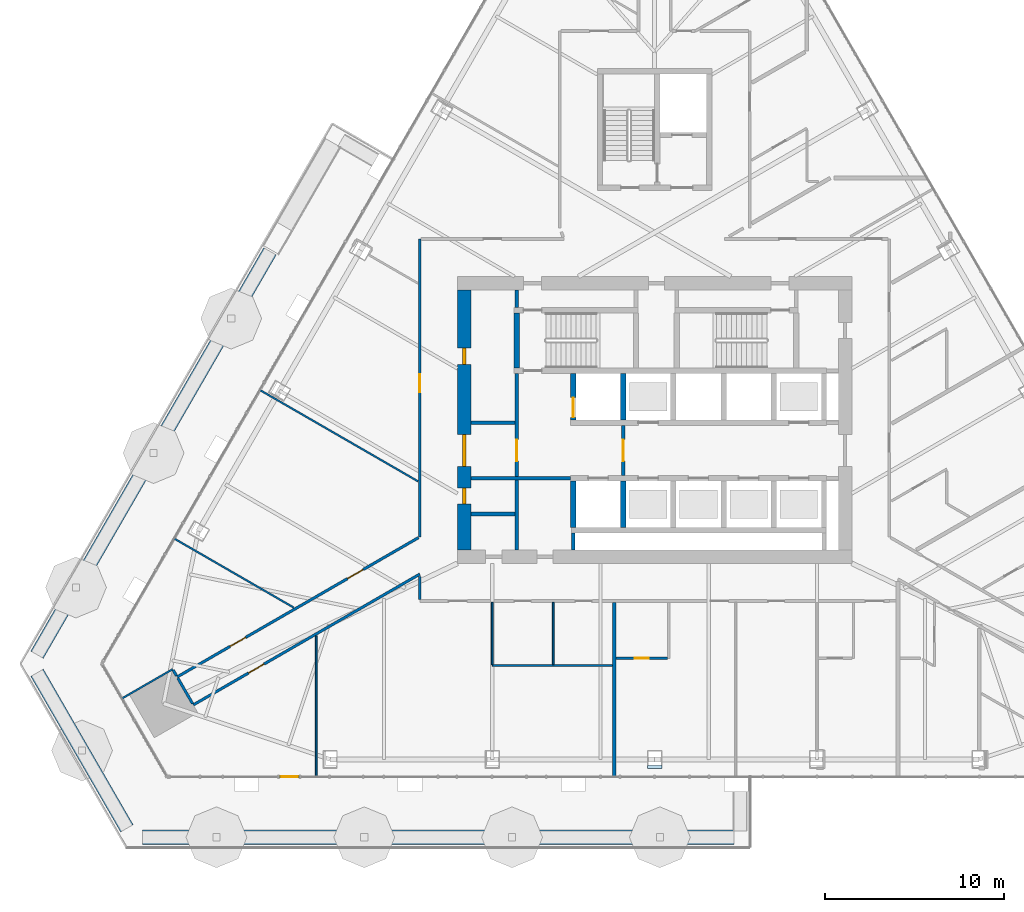
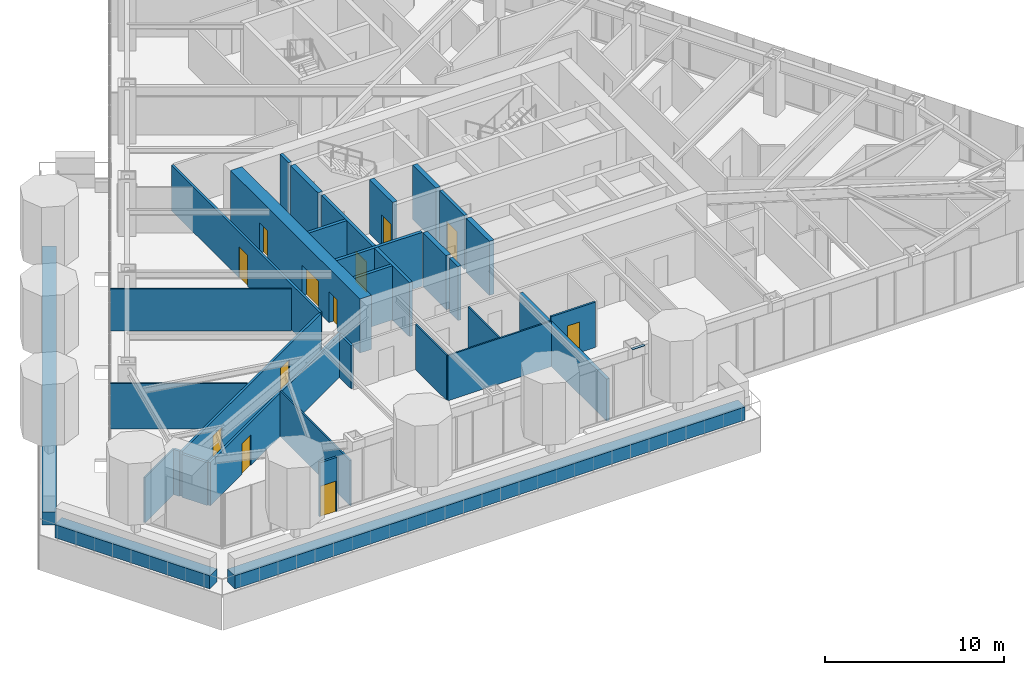
# One storey, part 25 of 32: 33 walls, 12 doors, 1 plate, 12 openings, 1 element without a shape of its own.
"""IFC4 building model written with IfcOpenShell, lengths in metres."""

from ifc_helpers import new_model, si_unit, direction, frame, frame_2d, origin, place, context, subcontext, project, spatial, polyline, rectangle, outline, extrude, material, layer, layer_set, type_object, element, fill, aggregate, save


model = new_model("IFC4")

# Units and contexts
model_context = context("Model", 3, precision=1e-05, world=origin(), true_north=direction((0.0, 1.0)))
body_context = subcontext(model_context, "Body", "Model", "MODEL_VIEW")
ifc_project = project(units=[si_unit("LENGTHUNIT", "METRE"), si_unit("AREAUNIT", "SQUARE_METRE"), si_unit("VOLUMEUNIT", "CUBIC_METRE"), si_unit("PLANEANGLEUNIT", "RADIAN"), si_unit("MASSUNIT", "GRAM", prefix="KILO")], contexts=[model_context])

# Site, building, storey
site_placement = place(None, origin())
site = spatial("IfcSite", under=ifc_project, at=site_placement, CompositionType="ELEMENT")
building_placement = place(site_placement, origin())
building = spatial("IfcBuilding", under=site, at=building_placement, Name="Firuza Gate Tower and Library", CompositionType="ELEMENT")
storey_placement = place(building_placement, frame((0.0, 0.0, 163.60009765625)))
storey = spatial("IfcBuildingStorey", under=building, at=storey_placement, Name="L37", CompositionType="ELEMENT", Elevation=163.60009765625)

# Plate
ifc_material_1 = material(Name="Steel S355", Category="steel")
ifc_layer_1 = layer(ifc_material_1, 0.030029296875)
ifc_layer_set_1 = layer_set([ifc_layer_1], Name="Column infill plate 30 Steel S355")
plate_type = type_object("IfcPlateType", Name="Column infill plate 30 Steel S355", PredefinedType="SHEET", material=ifc_layer_set_1)
plate_placement = place(storey_placement, frame((0.0, 0.0, 3.89990234375)))
element("IfcPlate", 1, at=plate_placement, inside=storey, type_object=plate_type, Name="Infill plate L37:S3", PredefinedType="SHEET", context=body_context, shape_type="SweptSolid", body=[
    extrude(outline(polyline([(75.39990234375, 55.56103515625), (75.39990234375, 55.720458984375), (74.60009765625, 55.720458984375), (74.60009765625, 55.56103515625), (75.39990234375, 55.56103515625)])), origin(), (0.0, 0.0, 1.0), 0.030029296875),
])

# Walls
ifc_material_2 = material(Name="Plasterboard on steel studs", Category="steel")
ifc_layer_2 = layer(ifc_material_2, 0.199951171875)
ifc_layer_set_2 = layer_set([ifc_layer_2], Name="Core partition 200 EI 120")
wall_type_1 = type_object("IfcWallType", Name="Core partition 200 EI 120", PredefinedType="PARTITIONING", material=ifc_layer_set_2)
wall_1_placement = place(storey_placement, frame((64.75, 71.75, 0.0), z_axis=(0.0, 0.0, 1.0), x_axis=(1.0, 0.0, 0.0)))
element("IfcWall", 2, at=wall_1_placement, inside=storey, type_object=wall_type_1, Name="Core partition L37 2", PredefinedType="PARTITIONING", context=body_context, shape_type="SweptSolid", body=[
    extrude(rectangle(XDim=5.550048828125, YDim=0.199951171875, at=frame_2d((2.77490234375, 0.0))), origin(), (0.0, 0.0, 1.0), 3.699951171875),
])
wall_2_placement = place(storey_placement, frame((64.75, 74.85009765625, 0.0), z_axis=(0.0, 0.0, 1.0), x_axis=(1.0, 0.0, 0.0)))
element("IfcWall", 3, at=wall_2_placement, inside=storey, type_object=wall_type_1, Name="Core partition L37 4", PredefinedType="PARTITIONING", context=body_context, shape_type="SweptSolid", body=[
    extrude(rectangle(XDim=2.449951171875, YDim=0.199951171875, at=frame_2d((1.22509765625, 0.0))), origin(), (0.0, 0.0, 1.0), 3.699951171875),
])
wall_3_placement = place(storey_placement, frame((67.300048828125, 67.75, 0.0), z_axis=(0.0, 0.0, 1.0), x_axis=(0.0, 1.0, 0.0)))
element("IfcWall", 4, at=wall_3_placement, inside=storey, type_object=wall_type_1, Name="Core partition L37 7", PredefinedType="PARTITIONING", context=body_context, shape_type="SweptSolid", body=[
    extrude(rectangle(XDim=3.89990234375, YDim=0.199951171875, at=frame_2d((1.949951171875, 0.0))), origin(), (0.0, 0.0, 1.0), 3.699951171875),
])

# Wall, opening, door
wall_4_placement = place(storey_placement, frame((67.300048828125, 71.85009765625, 0.0), z_axis=(0.0, 0.0, 1.0), x_axis=(0.0, 1.0, 0.0)))
wall_4 = element("IfcWall", 5, at=wall_4_placement, inside=storey, type_object=wall_type_1, Name="Core partition L37 8", PredefinedType="PARTITIONING", context=body_context, shape_type="SweptSolid", body=[
    extrude(rectangle(XDim=5.75, YDim=0.199951171875, at=frame_2d((2.875, 0.0))), origin(), (0.0, 0.0, 1.0), 3.699951171875),
])
opening_1_placement = place(wall_4_placement, frame((0.85009765625, 0.0, 0.0)))
opening_1 = element("IfcOpeningElement", 6, at=opening_1_placement, cuts=wall_4, Name="Opening L37-K19", PredefinedType="OPENING", context=body_context, shape_type="SweptSolid", body=[
    extrude(rectangle(XDim=1.199951171875, YDim=2.10009765625, at=frame_2d((0.60009765625, 1.050048828125))), frame((0.0, 0.10986328125, 0.0), z_axis=(0.0, -1.0, 0.0), x_axis=(1.0, 0.0, 0.0)), (0.0, 0.0, 1.0), 0.219970703125),
])
ifc_material_3 = material(Name="Steel", Category="steel")
door_type_1 = type_object("IfcDoorType", Name="Fire door 1200x2100 FD90S", OperationType="NOTDEFINED", PredefinedType="DOOR", material=ifc_material_3)
door_1_placement = place(opening_1_placement, origin())
door_1 = element("IfcDoor", 7, at=door_1_placement, inside=storey, type_object=door_type_1, Name="Door L37-K19", OperationType="SINGLE_SWING_RIGHT", OverallHeight=2.10009765625, OverallWidth=1.199951171875, PredefinedType="DOOR", context=body_context, shape_type="SweptSolid", body=[
    extrude(rectangle(XDim=1.199951171875, YDim=2.10009765625, at=frame_2d((0.60009765625, 1.050048828125))), frame((0.0, 0.02490234375, 0.0), z_axis=(0.0, -1.0, 0.0), x_axis=(1.0, 0.0, 0.0)), (0.0, 0.0, 1.0), 0.050048828125),
])
fill(opening_1, door_1)

# Walls
wall_5_placement = place(storey_placement, frame((67.300048828125, 81.280029296875, 0.0), z_axis=(0.0, 0.0, 1.0), x_axis=(0.0, 1.0, 0.0)))
element("IfcWall", 8, at=wall_5_placement, inside=storey, type_object=wall_type_1, Name="Core partition L37 9", PredefinedType="PARTITIONING", context=body_context, shape_type="SweptSolid", body=[
    extrude(rectangle(XDim=0.969970703125, YDim=0.199951171875, at=frame_2d((0.48486328125, 0.0))), origin(), (0.0, 0.0, 1.0), 3.699951171875),
])
wall_6_placement = place(storey_placement, frame((70.449951171875, 67.75, 0.0), z_axis=(0.0, 0.0, 1.0), x_axis=(0.0, 1.0, 0.0)))
element("IfcWall", 9, at=wall_6_placement, inside=storey, type_object=wall_type_1, Name="Core partition L37 10", PredefinedType="PARTITIONING", context=body_context, shape_type="SweptSolid", body=[
    extrude(rectangle(XDim=0.949951171875, YDim=0.199951171875, at=frame_2d((0.47509765625, 0.0))), origin(), (0.0, 0.0, 1.0), 3.699951171875),
])
ifc_material_4 = material(Name="Plasterboard on steel studs", Category="steel")
ifc_layer_3 = layer(ifc_material_4, 0.199951171875)
ifc_layer_set_3 = layer_set([ifc_layer_3], Name="Core partition 200 EI 60")
wall_type_2 = type_object("IfcWallType", Name="Core partition 200 EI 60", PredefinedType="PARTITIONING", material=ifc_layer_set_3)
wall_7_placement = place(storey_placement, frame((64.75, 69.75, 0.0), z_axis=(0.0, 0.0, 1.0), x_axis=(1.0, 0.0, 0.0)))
element("IfcWall", 10, at=wall_7_placement, inside=storey, type_object=wall_type_2, Name="Core partition L37 1", PredefinedType="PARTITIONING", context=body_context, shape_type="SweptSolid", body=[
    extrude(rectangle(XDim=2.449951171875, YDim=0.199951171875, at=frame_2d((1.22509765625, 0.0))), origin(), (0.0, 0.0, 1.0), 3.699951171875),
])

# Wall, opening, door
wall_8_placement = place(storey_placement, frame((73.25, 71.89990234375, 0.0), z_axis=(0.0, 0.0, 1.0), x_axis=(0.0, 1.0, 0.0)))
wall_8 = element("IfcWall", 11, at=wall_8_placement, inside=storey, type_object=wall_type_2, Name="Core partition L37 11", PredefinedType="PARTITIONING", context=body_context, shape_type="SweptSolid", body=[
    extrude(rectangle(XDim=2.800048828125, YDim=0.199951171875, at=frame_2d((1.39990234375, 0.0))), origin(), (0.0, 0.0, 1.0), 3.699951171875),
])
opening_2_placement = place(wall_8_placement, frame((0.800048828125, 0.0, 0.0)))
opening_2 = element("IfcOpeningElement", 12, at=opening_2_placement, cuts=wall_8, Name="Opening L37-K18", PredefinedType="OPENING", context=body_context, shape_type="SweptSolid", body=[
    extrude(rectangle(XDim=1.199951171875, YDim=2.10009765625, at=frame_2d((0.60009765625, 1.050048828125))), frame((0.0, 0.10986328125, 0.0), z_axis=(0.0, -1.0, 0.0), x_axis=(1.0, 0.0, 0.0)), (0.0, 0.0, 1.0), 0.219970703125),
])
door_2_placement = place(opening_2_placement, origin())
door_2 = element("IfcDoor", 13, at=door_2_placement, inside=storey, type_object=door_type_1, Name="Door L37-K18", OperationType="SINGLE_SWING_LEFT", OverallHeight=2.10009765625, OverallWidth=1.199951171875, PredefinedType="DOOR", context=body_context, shape_type="SweptSolid", body=[
    extrude(rectangle(XDim=1.199951171875, YDim=2.10009765625, at=frame_2d((0.60009765625, 1.050048828125))), frame((0.0, 0.02490234375, 0.0), z_axis=(0.0, -1.0, 0.0), x_axis=(1.0, 0.0, 0.0)), (0.0, 0.0, 1.0), 0.050048828125),
])
fill(opening_2, door_2)

# Wall
ifc_material_5 = material(Name="Concrete C80/95", Category="concrete")
ifc_layer_4 = layer(ifc_material_5, 0.300048828125)
ifc_layer_set_4 = layer_set([ifc_layer_4], Name="Core wall 300 C80/95")
wall_type_3 = type_object("IfcWallType", Name="Core wall 300 C80/95", PredefinedType="SHEAR", material=ifc_layer_set_4)
wall_9_placement = place(storey_placement, frame((70.449951171875, 69.0, 0.0), z_axis=(0.0, 0.0, 1.0), x_axis=(0.0, 1.0, 0.0)))
element("IfcWall", 14, at=wall_9_placement, inside=storey, type_object=wall_type_3, Name="Core wall L37 8", PredefinedType="SHEAR", context=body_context, shape_type="SweptSolid", body=[
    extrude(rectangle(XDim=2.60009765625, YDim=0.300048828125, at=frame_2d((1.300048828125, 0.0))), origin(), (0.0, 0.0, 1.0), 3.699951171875),
])

# Wall, opening, door
wall_10_placement = place(storey_placement, frame((70.449951171875, 75.0, 0.0), z_axis=(0.0, 0.0, 1.0), x_axis=(0.0, 1.0, 0.0)))
wall_10 = element("IfcWall", 15, at=wall_10_placement, inside=storey, type_object=wall_type_3, Name="Core wall L37 9", PredefinedType="SHEAR", context=body_context, shape_type="SweptSolid", body=[
    extrude(rectangle(XDim=2.60009765625, YDim=0.300048828125, at=frame_2d((1.300048828125, 0.0))), origin(), (0.0, 0.0, 1.0), 3.699951171875),
])
opening_3_placement = place(wall_10_placement, frame((0.14990234375, 0.0, 0.0)))
opening_3 = element("IfcOpeningElement", 16, at=opening_3_placement, cuts=wall_10, Name="Opening LD-FF2-L37", PredefinedType="OPENING", context=body_context, shape_type="SweptSolid", body=[
    extrude(rectangle(XDim=1.10009765625, YDim=2.10009765625, at=frame_2d((0.550048828125, 1.050048828125))), frame((0.0, 0.16015625, 0.0), z_axis=(0.0, -1.0, 0.0), x_axis=(1.0, 0.0, 0.0)), (0.0, 0.0, 1.0), 0.320068359375),
])
ifc_material_6 = material(Name="Stainless steel", Category="steel")
door_type_2 = type_object("IfcDoorType", Name="Lift landing door 1100x2100", OperationType="DOUBLE_DOOR_SLIDING", PredefinedType="DOOR", material=ifc_material_6)
door_3_placement = place(opening_3_placement, origin())
door_3 = element("IfcDoor", 17, at=door_3_placement, inside=storey, type_object=door_type_2, Name="Landing door FF2 L37", OperationType="DOUBLE_DOOR_SLIDING", OverallHeight=2.10009765625, OverallWidth=1.10009765625, PredefinedType="DOOR", context=body_context, shape_type="SweptSolid", body=[
    extrude(rectangle(XDim=1.10009765625, YDim=2.10009765625, at=frame_2d((0.550048828125, 1.050048828125))), frame((0.0, 0.02490234375, 0.0), z_axis=(0.0, -1.0, 0.0), x_axis=(1.0, 0.0, 0.0)), (0.0, 0.0, 1.0), 0.050048828125),
])
fill(opening_3, door_3)

# Walls
for number, where, z_axis, x_axis, name in (
    (18, (73.25, 69.0, 0.0), (0.0, 0.0, 1.0), (0.0, 1.0, 0.0), "Core wall L37 10"),
    (19, (73.25, 75.0, 0.0), (0.0, 0.0, 1.0), (0.0, 1.0, 0.0), "Core wall L37 11"),
):
    element("IfcWall", number, at=place(storey_placement, frame(where, z_axis=z_axis, x_axis=x_axis)), inside=storey, type_object=wall_type_3, Name=name, PredefinedType="SHEAR", context=body_context, shape_type="SweptSolid", body=[
        extrude(rectangle(XDim=2.60009765625, YDim=0.300048828125, at=frame_2d((1.300048828125, 0.0))), origin(), (0.0, 0.0, 1.0), 3.699951171875),
    ])
wall_11_placement = place(storey_placement, frame((67.300048828125, 77.89990234375, 0.0), z_axis=(0.0, 0.0, 1.0), x_axis=(0.0, 1.0, 0.0)))
element("IfcWall", 20, at=wall_11_placement, inside=storey, type_object=wall_type_3, Name="Core wall L37 23", PredefinedType="SHEAR", context=body_context, shape_type="SweptSolid", body=[
    extrude(rectangle(XDim=3.080078125, YDim=0.300048828125, at=frame_2d((1.5400390625, 0.0))), origin(), (0.0, 0.0, 1.0), 3.699951171875),
])

# Wall, openings, doors
ifc_material_7 = material(Name="Concrete C80/95", Category="concrete")
ifc_layer_5 = layer(ifc_material_7, 0.75)
ifc_layer_set_5 = layer_set([ifc_layer_5], Name="Core wall 750 C80/95")
wall_type_4 = type_object("IfcWallType", Name="Core wall 750 C80/95", PredefinedType="SHEAR", material=ifc_layer_set_5)
wall_12_placement = place(storey_placement, frame((64.375, 67.75, 0.0), z_axis=(0.0, 0.0, 1.0), x_axis=(0.0, 1.0, 0.0)))
wall_12 = element("IfcWall", 21, at=wall_12_placement, inside=storey, type_object=wall_type_4, Name="Core wall L37 3", PredefinedType="SHEAR", context=body_context, shape_type="SweptSolid", body=[
    extrude(rectangle(XDim=14.5, YDim=0.75, at=frame_2d((7.25, 0.0))), origin(), (0.0, 0.0, 1.0), 3.699951171875),
])
opening_4_placement = place(wall_12_placement, frame((4.64990234375, 0.0, 0.0)))
opening_4 = element("IfcOpeningElement", 22, at=opening_4_placement, cuts=wall_12, Name="Opening L37-K20", PredefinedType="OPENING", context=body_context, shape_type="SweptSolid", body=[
    extrude(rectangle(XDim=1.800048828125, YDim=2.10009765625, at=frame_2d((0.89990234375, 1.050048828125))), frame((0.0, 0.385009765625, 0.0), z_axis=(0.0, -1.0, 0.0), x_axis=(1.0, 0.0, 0.0)), (0.0, 0.0, 1.0), 0.77001953125),
])
opening_5_placement = place(wall_12_placement, frame((2.550048828125, 0.0, 0.0)))
opening_5 = element("IfcOpeningElement", 23, at=opening_5_placement, cuts=wall_12, Name="Opening L37-K23", PredefinedType="OPENING", context=body_context, shape_type="SweptSolid", body=[
    extrude(rectangle(XDim=0.89990234375, YDim=2.10009765625, at=frame_2d((0.449951171875, 1.050048828125))), frame((0.0, 0.385009765625, 0.0), z_axis=(0.0, -1.0, 0.0), x_axis=(1.0, 0.0, 0.0)), (0.0, 0.0, 1.0), 0.77001953125),
])
opening_6_placement = place(wall_12_placement, frame((10.35009765625, 0.0, 0.0)))
opening_6 = element("IfcOpeningElement", 24, at=opening_6_placement, cuts=wall_12, Name="Opening L37-K25", PredefinedType="OPENING", context=body_context, shape_type="SweptSolid", body=[
    extrude(rectangle(XDim=0.89990234375, YDim=2.10009765625, at=frame_2d((0.449951171875, 1.050048828125))), frame((0.0, 0.385009765625, 0.0), z_axis=(0.0, -1.0, 0.0), x_axis=(1.0, 0.0, 0.0)), (0.0, 0.0, 1.0), 0.77001953125),
])
ifc_material_8 = material(Name="Steel", Category="steel")
door_type_3 = type_object("IfcDoorType", Name="Fire door 1800x2100 FD30S", OperationType="NOTDEFINED", PredefinedType="DOOR", material=ifc_material_8)
door_4_placement = place(opening_4_placement, origin())
door_4 = element("IfcDoor", 25, at=door_4_placement, inside=storey, type_object=door_type_3, Name="Door L37-K20", OperationType="SINGLE_SWING_LEFT", OverallHeight=2.10009765625, OverallWidth=1.800048828125, PredefinedType="DOOR", context=body_context, shape_type="SweptSolid", body=[
    extrude(rectangle(XDim=1.800048828125, YDim=2.10009765625, at=frame_2d((0.89990234375, 1.050048828125))), frame((0.0, 0.094970703125, 0.0), z_axis=(0.0, -1.0, 0.0), x_axis=(1.0, 0.0, 0.0)), (0.0, 0.0, 1.0), 0.18994140625),
])
fill(opening_4, door_4)
ifc_material_9 = material(Name="Steel", Category="steel")
door_type_4 = type_object("IfcDoorType", Name="Fire door 900x2100 FD30S", OperationType="NOTDEFINED", PredefinedType="DOOR", material=ifc_material_9)
door_5_placement = place(opening_5_placement, origin())
door_5 = element("IfcDoor", 26, at=door_5_placement, inside=storey, type_object=door_type_4, Name="Door L37-K23", OperationType="SINGLE_SWING_RIGHT", OverallHeight=2.10009765625, OverallWidth=0.89990234375, PredefinedType="DOOR", context=body_context, shape_type="SweptSolid", body=[
    extrude(rectangle(XDim=0.89990234375, YDim=2.10009765625, at=frame_2d((0.449951171875, 1.050048828125))), frame((0.0, 0.094970703125, 0.0), z_axis=(0.0, -1.0, 0.0), x_axis=(1.0, 0.0, 0.0)), (0.0, 0.0, 1.0), 0.18994140625),
])
fill(opening_5, door_5)
door_6_placement = place(opening_6_placement, origin())
door_6 = element("IfcDoor", 27, at=door_6_placement, inside=storey, type_object=door_type_4, Name="Door L37-K25", OperationType="SINGLE_SWING_RIGHT", OverallHeight=2.10009765625, OverallWidth=0.89990234375, PredefinedType="DOOR", context=body_context, shape_type="SweptSolid", body=[
    extrude(rectangle(XDim=0.89990234375, YDim=2.10009765625, at=frame_2d((0.449951171875, 1.050048828125))), frame((0.0, 0.094970703125, 0.0), z_axis=(0.0, -1.0, 0.0), x_axis=(1.0, 0.0, 0.0)), (0.0, 0.0, 1.0), 0.18994140625),
])
fill(opening_6, door_6)

# Wall, opening, door
ifc_material_10 = material(Name="Gypsum board partition")
ifc_layer_6 = layer(ifc_material_10, 0.14990234375)
ifc_layer_set_6 = layer_set([ifc_layer_6], Name="Corridor wall 150 double board on steel studs")
wall_type_5 = type_object("IfcWallType", Name="Corridor wall 150 double board on steel studs", PredefinedType="PARTITIONING", material=ifc_layer_set_6)
wall_13_placement = place(storey_placement, frame((61.89990234375, 66.3974609375, 0.0), z_axis=(0.0, 0.0, 1.0), x_axis=(-0.86603071172, -0.499990806274, 0.0)))
wall_13 = element("IfcWall", 28, at=wall_13_placement, inside=storey, type_object=wall_type_5, Name="f:L37:w024", PredefinedType="PARTITIONING", context=body_context, shape_type="SweptSolid", body=[
    extrude(rectangle(XDim=14.595458984375, YDim=0.14990234375, at=frame_2d((7.2978515625, 0.0))), origin(), (0.0, 0.0, 1.0), 2.947021484375),
])
opening_7_placement = place(wall_13_placement, frame((10.0322265625, 0.0, 0.0)))
opening_7 = element("IfcOpeningElement", 29, at=opening_7_placement, cuts=wall_13, Name="Opening L37-18", PredefinedType="OPENING", context=body_context, shape_type="SweptSolid", body=[
    extrude(rectangle(XDim=1.0, YDim=2.10009765625, at=frame_2d((0.5, 1.050048828125))), frame((0.0, 0.0849609375, 0.0), z_axis=(0.0, -1.0, 0.0), x_axis=(1.0, 0.0, 0.0)), (0.0, 0.0, 1.0), 0.169921875),
])
ifc_material_11 = material(Name="Steel door and timber leaf", Category="steel")
door_type_5 = type_object("IfcDoorType", Name="Fire door 1000 x 2100 steel frame, timber leaf", OperationType="NOTDEFINED", PredefinedType="DOOR", material=ifc_material_11)
door_7_placement = place(opening_7_placement, origin())
door_7 = element("IfcDoor", 30, at=door_7_placement, inside=storey, type_object=door_type_5, Name="f:L37:d018", OperationType="SINGLE_SWING_RIGHT", OverallHeight=2.10009765625, OverallWidth=1.0, PredefinedType="DOOR", context=body_context, shape_type="SweptSolid", body=[
    extrude(rectangle(XDim=1.0, YDim=2.10009765625, at=frame_2d((0.5, 1.050048828125))), frame((0.0, 0.02490234375, 0.0), z_axis=(0.0, -1.0, 0.0), x_axis=(1.0, 0.0, 0.0)), (0.0, 0.0, 1.0), 0.050048828125),
])
fill(opening_7, door_7)

# Wall, openings, doors
wall_14_placement = place(storey_placement, frame((48.359619140625, 60.65869140625, 0.0), z_axis=(0.0, 0.0, 1.0), x_axis=(0.866033404619, 0.499986141892, 0.0)))
wall_14 = element("IfcWall", 31, at=wall_14_placement, inside=storey, type_object=wall_type_5, Name="f:L37:w027", PredefinedType="PARTITIONING", context=body_context, shape_type="SweptSolid", body=[
    extrude(rectangle(XDim=15.54833984375, YDim=0.14990234375, at=frame_2d((7.774169921875, 0.0))), origin(), (0.0, 0.0, 1.0), 3.099853515625),
])
opening_8_placement = place(wall_14_placement, frame((3.415283203125, 0.0, 0.0)))
opening_8 = element("IfcOpeningElement", 32, at=opening_8_placement, cuts=wall_14, Name="Opening L37-19", PredefinedType="OPENING", context=body_context, shape_type="SweptSolid", body=[
    extrude(rectangle(XDim=1.0, YDim=2.10009765625, at=frame_2d((0.5, 1.050048828125))), frame((0.0, 0.0849609375, 0.0), z_axis=(0.0, -1.0, 0.0), x_axis=(1.0, 0.0, 0.0)), (0.0, 0.0, 1.0), 0.169921875),
])
opening_9_placement = place(wall_14_placement, frame((10.986083984375, 0.0, 0.0)))
opening_9 = element("IfcOpeningElement", 33, at=opening_9_placement, cuts=wall_14, Name="Opening L37-20", PredefinedType="OPENING", context=body_context, shape_type="SweptSolid", body=[
    extrude(rectangle(XDim=1.0, YDim=2.10009765625, at=frame_2d((0.5, 1.050048828125))), frame((0.0, 0.0849609375, 0.0), z_axis=(0.0, -1.0, 0.0), x_axis=(1.0, 0.0, 0.0)), (0.0, 0.0, 1.0), 0.169921875),
])
door_8_placement = place(opening_8_placement, origin())
door_8 = element("IfcDoor", 34, at=door_8_placement, inside=storey, type_object=door_type_5, Name="f:L37:d019", OperationType="SINGLE_SWING_RIGHT", OverallHeight=2.10009765625, OverallWidth=1.0, PredefinedType="DOOR", context=body_context, shape_type="SweptSolid", body=[
    extrude(rectangle(XDim=1.0, YDim=2.10009765625, at=frame_2d((0.5, 1.050048828125))), frame((0.0, 0.02490234375, 0.0), z_axis=(0.0, -1.0, 0.0), x_axis=(1.0, 0.0, 0.0)), (0.0, 0.0, 1.0), 0.050048828125),
])
fill(opening_8, door_8)
door_9_placement = place(opening_9_placement, origin())
door_9 = element("IfcDoor", 35, at=door_9_placement, inside=storey, type_object=door_type_5, Name="f:L37:d020", OperationType="SINGLE_SWING_LEFT", OverallHeight=2.10009765625, OverallWidth=1.0, PredefinedType="DOOR", context=body_context, shape_type="SweptSolid", body=[
    extrude(rectangle(XDim=1.0, YDim=2.10009765625, at=frame_2d((0.5, 1.050048828125))), frame((0.0, 0.02490234375, 0.0), z_axis=(0.0, -1.0, 0.0), x_axis=(1.0, 0.0, 0.0)), (0.0, 0.0, 1.0), 0.050048828125),
])
fill(opening_9, door_9)

# Wall
wall_15_placement = place(storey_placement, frame((61.89990234375, 64.9755859375, 0.0), z_axis=(0.0, 0.0, 1.0), x_axis=(0.0, 1.0, 0.0)))
element("IfcWall", 36, at=wall_15_placement, inside=storey, type_object=wall_type_5, Name="f:L37:w063", PredefinedType="PARTITIONING", context=body_context, shape_type="SweptSolid", body=[
    extrude(rectangle(XDim=1.28515625, YDim=0.14990234375, at=frame_2d((0.642578125, 0.0))), origin(), (0.0, 0.0, 1.0), 2.947021484375),
])

# Wall, opening, door
wall_16_placement = place(storey_placement, frame((61.89990234375, 68.47607421875, 0.0), z_axis=(0.0, 0.0, 1.0), x_axis=(0.0, 1.0, 0.0)))
wall_16 = element("IfcWall", 37, at=wall_16_placement, inside=storey, type_object=wall_type_5, Name="f:L37:w064", PredefinedType="PARTITIONING", context=body_context, shape_type="SweptSolid", body=[
    extrude(rectangle(XDim=16.62353515625, YDim=0.14990234375, at=frame_2d((8.311767578125, 0.0))), origin(), (0.0, 0.0, 1.0), 3.099853515625),
])
opening_10_placement = place(wall_16_placement, frame((8.06396484375, 0.0, 0.0)))
opening_10 = element("IfcOpeningElement", 38, at=opening_10_placement, cuts=wall_16, Name="Opening L37-30", PredefinedType="OPENING", context=body_context, shape_type="SweptSolid", body=[
    extrude(rectangle(XDim=1.0, YDim=2.10009765625, at=frame_2d((0.5, 1.050048828125))), frame((0.0, 0.0849609375, 0.0), z_axis=(0.0, -1.0, 0.0), x_axis=(1.0, 0.0, 0.0)), (0.0, 0.0, 1.0), 0.169921875),
])
door_10_placement = place(opening_10_placement, origin())
door_10 = element("IfcDoor", 39, at=door_10_placement, inside=storey, type_object=door_type_5, Name="f:L37:d030", OperationType="SINGLE_SWING_RIGHT", OverallHeight=2.10009765625, OverallWidth=1.0, PredefinedType="DOOR", context=body_context, shape_type="SweptSolid", body=[
    extrude(rectangle(XDim=1.0, YDim=2.10009765625, at=frame_2d((0.5, 1.050048828125))), frame((0.0, 0.02490234375, 0.0), z_axis=(0.0, -1.0, 0.0), x_axis=(1.0, 0.0, 0.0)), (0.0, 0.0, 1.0), 0.050048828125),
])
fill(opening_10, door_10)

# Walls
wall_17_placement = place(storey_placement, frame((49.221923828125, 59.1650390625, 0.0), z_axis=(0.0, 0.0, 1.0), x_axis=(-0.499991515992, 0.866030301974, 0.0)))
element("IfcWall", 40, at=wall_17_placement, inside=storey, type_object=wall_type_5, Name="f:L37:w067", PredefinedType="PARTITIONING", context=body_context, shape_type="SweptSolid", body=[
    extrude(rectangle(XDim=1.6494140625, YDim=0.14990234375, at=frame_2d((0.82470703125, 0.0))), origin(), (0.0, 0.0, 1.0), 2.947021484375),
])
wall_18_placement = place(storey_placement, frame((48.322265625, 60.723388671875, 0.0), z_axis=(0.0, 0.0, 1.0), x_axis=(-0.499854089722, 0.866109628736, 0.0)))
element("IfcWall", 41, at=wall_18_placement, inside=storey, type_object=wall_type_5, Name="f:L37:w084", PredefinedType="PARTITIONING", context=body_context, shape_type="SweptSolid", body=[
    extrude(rectangle(XDim=0.37451171875, YDim=0.14990234375, at=frame_2d((0.187255859375, 0.0))), origin(), (0.0, 0.0, 1.0), 3.099853515625),
])
ifc_material_12 = material(Name="Gypsum board partition")
ifc_layer_7 = layer(ifc_material_12, 0.199951171875)
ifc_layer_set_7 = layer_set([ifc_layer_7], Name="Demising wall 200 acoustic double stud")
wall_type_6 = type_object("IfcWallType", Name="Demising wall 200 acoustic double stud", PredefinedType="PARTITIONING", material=ifc_layer_set_7)
wall_19_placement = place(storey_placement, frame((72.737060546875, 55.10107421875, 0.0), z_axis=(0.0, 0.0, 1.0), x_axis=(0.0, 1.0, 0.0)))
element("IfcWall", 42, at=wall_19_placement, inside=storey, type_object=wall_type_6, Name="f:L37:w059", PredefinedType="PARTITIONING", context=body_context, shape_type="SweptSolid", body=[
    extrude(rectangle(XDim=9.723876953125, YDim=0.199951171875, at=frame_2d((4.86181640625, 0.0))), origin(), (0.0, 0.0, 1.0), 2.864990234375),
])
ifc_material_13 = material(Name="Gypsum board partition")
ifc_layer_8 = layer(ifc_material_13, 0.10009765625)
ifc_layer_set_8 = layer_set([ifc_layer_8], Name="Partition 100 gypsum board on steel studs")
wall_type_7 = type_object("IfcWallType", Name="Partition 100 gypsum board on steel studs", PredefinedType="PARTITIONING", material=ifc_layer_set_8)
wall_20_placement = place(storey_placement, frame((65.946044921875, 61.300048828125, 0.0), z_axis=(0.0, 0.0, 1.0), x_axis=(1.0, 0.0, 0.0)))
element("IfcWall", 43, at=wall_20_placement, inside=storey, type_object=wall_type_7, Name="f:L37:w003", PredefinedType="PARTITIONING", context=body_context, shape_type="SweptSolid", body=[
    extrude(rectangle(XDim=6.6904296875, YDim=0.10009765625, at=frame_2d((3.34521484375, 0.0))), origin(), (0.0, 0.0, 1.0), 3.099853515625),
])
wall_21_placement = place(storey_placement, frame((45.2861328125, 59.46142578125, 0.0), z_axis=(0.0, 0.0, 1.0), x_axis=(0.866035906198, 0.499981808845, 0.0)))
element("IfcWall", 44, at=wall_21_placement, inside=storey, type_object=wall_type_7, Name="f:L37:w028", PredefinedType="PARTITIONING", context=body_context, shape_type="SweptSolid", body=[
    extrude(rectangle(XDim=3.25927734375, YDim=0.10009765625, at=frame_2d((1.629638671875, 0.0))), origin(), (0.0, 0.0, 1.0), 3.099853515625),
])
for number, where, z_axis, x_axis, name in (
    (45, (69.341064453125, 61.35009765625, 0.0), (0.0, 0.0, 1.0), (0.0, 1.0, 0.0), "f:L37:w061"),
    (46, (65.946044921875, 61.35009765625, 0.0), (0.0, 0.0, 1.0), (0.0, 1.0, 0.0), "f:L37:w062"),
):
    element("IfcWall", number, at=place(storey_placement, frame(where, z_axis=z_axis, x_axis=x_axis)), inside=storey, type_object=wall_type_7, Name=name, PredefinedType="PARTITIONING", context=body_context, shape_type="SweptSolid", body=[
        extrude(rectangle(XDim=3.474853515625, YDim=0.10009765625, at=frame_2d((1.7373046875, 0.0))), origin(), (0.0, 0.0, 1.0), 3.099853515625),
    ])
wall_22_placement = place(storey_placement, frame((56.1220703125, 55.10107421875, 0.0), z_axis=(0.0, 0.0, 1.0), x_axis=(0.0, 1.0, 0.0)))
element("IfcWall", 47, at=wall_22_placement, inside=storey, type_object=wall_type_7, Name="f:L37:w065", PredefinedType="PARTITIONING", context=body_context, shape_type="SweptSolid", body=[
    extrude(rectangle(XDim=7.84375, YDim=0.10009765625, at=frame_2d((3.921875, 0.0))), origin(), (0.0, 0.0, 1.0), 3.099853515625),
])
wall_23_placement = place(storey_placement, frame((61.79931640625, 71.574462890625, 0.0), z_axis=(0.0, 0.0, 1.0), x_axis=(-0.866020635606, 0.500008258637, 0.0)))
element("IfcWall", 48, at=wall_23_placement, inside=storey, type_object=wall_type_7, Name="f:L37:w080", PredefinedType="PARTITIONING", context=body_context, shape_type="SweptSolid", body=[
    extrude(rectangle(XDim=10.179443359375, YDim=0.10009765625, at=frame_2d((5.08984375, 0.0))), origin(), (0.0, 0.0, 1.0), 2.864990234375),
])
wall_24_placement = place(storey_placement, frame((54.8642578125, 64.5302734375, 0.0), z_axis=(0.0, 0.0, 1.0), x_axis=(-0.86601864019, 0.500011714706, 0.0)))
element("IfcWall", 49, at=wall_24_placement, inside=storey, type_object=wall_type_7, Name="f:L37:w081", PredefinedType="PARTITIONING", context=body_context, shape_type="SweptSolid", body=[
    extrude(rectangle(XDim=7.695556640625, YDim=0.10009765625, at=frame_2d((3.84765625, 0.0))), origin(), (0.0, 0.0, 1.0), 3.099853515625),
])
ifc_material_14 = material(Name="Concrete C40/50", Category="concrete")
ifc_layer_9 = layer(ifc_material_14, 0.800048828125)
ifc_layer_set_9 = layer_set([ifc_layer_9], Name="Planter wall 800")
wall_type_8 = type_object("IfcWallType", Name="Planter wall 800", PredefinedType="SOLIDWALL", material=ifc_layer_set_9)
wall_25_placement = place(storey_placement, frame((53.5390625, 84.406494140625, 0.0), z_axis=(0.0, 0.0, 1.0), x_axis=(-0.499993800457, -0.866028983062, 0.0)))
element("IfcWall", 50, at=wall_25_placement, inside=storey, type_object=wall_type_8, Name="PLANTER L37 2", PredefinedType="SOLIDWALL", context=body_context, shape_type="SweptSolid", body=[
    extrude(rectangle(XDim=25.987060546875, YDim=0.800048828125, at=frame_2d((12.99365234375, 0.0))), origin(), (0.0, 0.0, 1.0), 0.89990234375),
])
wall_26_placement = place(storey_placement, frame((40.545654296875, 60.89208984375, 0.0), z_axis=(0.0, 0.0, 1.0), x_axis=(0.49999175339, -0.866030164915, 0.0)))
element("IfcWall", 51, at=wall_26_placement, inside=storey, type_object=wall_type_8, Name="PLANTER L37 3", PredefinedType="SOLIDWALL", context=body_context, shape_type="SweptSolid", body=[
    extrude(rectangle(XDim=10.018798828125, YDim=0.800048828125, at=frame_2d((5.00927734375, 0.0))), origin(), (0.0, 0.0, 1.0), 0.89990234375),
])
wall_27_placement = place(storey_placement, frame((46.4287109375, 51.711181640625, 0.0), z_axis=(0.0, 0.0, 1.0), x_axis=(1.0, 0.0, 0.0)))
element("IfcWall", 52, at=wall_27_placement, inside=storey, type_object=wall_type_8, Name="PLANTER L37 4", PredefinedType="SOLIDWALL", context=body_context, shape_type="SweptSolid", body=[
    extrude(rectangle(XDim=32.987060546875, YDim=0.800048828125, at=frame_2d((16.49365234375, 0.0))), origin(), (0.0, 0.0, 1.0), 0.89990234375),
])

# Curtain wall, wall, opening, door
ifc_material_15 = material(Name="Aluminium 6063-T6", Category="aluminium")
ifc_layer_10 = layer(ifc_material_15, 0.14990234375)
ifc_layer_set_10 = layer_set([ifc_layer_10], Name="Unitised curtain wall, hotel")
curtain_wall_type = type_object("IfcCurtainWallType", Name="Unitised curtain wall, hotel", PredefinedType="NOTDEFINED", material=ifc_layer_set_10)
curtain_wall_placement = place(storey_placement, origin())
curtain_wall = element("IfcCurtainWall", 53, at=curtain_wall_placement, inside=storey, type_object=curtain_wall_type, Name="CW2 L37 S face", PredefinedType="NOTDEFINED")
ifc_material_16 = material(Name="Aluminium 6063-T6", Category="aluminium")
ifc_layer_11 = layer(ifc_material_16, 0.14990234375)
ifc_layer_set_11 = layer_set([ifc_layer_11], Name="Terrace door wall 150")
wall_type_9 = type_object("IfcWallType", Name="Terrace door wall 150", PredefinedType="SOLIDWALL", material=ifc_layer_set_11)
wall_28_placement = place(storey_placement, frame((54.0546875, 55.086181640625, 0.0), z_axis=(0.0, 0.0, 1.0), x_axis=(1.0, 0.0, 0.0)))
wall_28 = element("IfcWall", 54, at=wall_28_placement, type_object=wall_type_9, Name="Terrace door wall", PredefinedType="SOLIDWALL", context=body_context, shape_type="SweptSolid", body=[
    extrude(rectangle(XDim=1.1201171875, YDim=0.14990234375, at=frame_2d((0.56005859375, 0.0))), origin(), (0.0, 0.0, 1.0), 3.699951171875),
])
opening_11_placement = place(wall_28_placement, frame((0.06005859375, 0.0, 0.0)))
opening_11 = element("IfcOpeningElement", 55, at=opening_11_placement, cuts=wall_28, Name="Opening DR6", PredefinedType="OPENING", context=body_context, shape_type="SweptSolid", body=[
    extrude(rectangle(XDim=1.0, YDim=2.10009765625, at=frame_2d((0.5, 1.050048828125))), frame((0.0, 0.0849609375, 0.0), z_axis=(0.0, -1.0, 0.0), x_axis=(1.0, 0.0, 0.0)), (0.0, 0.0, 1.0), 0.169921875),
])
ifc_material_17 = material(Name="Aluminium 6063-T6 and glass", Category="aluminium")
door_type_6 = type_object("IfcDoorType", Name="Terrace door 1000x2100", OperationType="NOTDEFINED", PredefinedType="DOOR", material=ifc_material_17)
door_11_placement = place(opening_11_placement, origin())
door_11 = element("IfcDoor", 56, at=door_11_placement, inside=storey, type_object=door_type_6, Name="Terrace door", OperationType="SINGLE_SWING_RIGHT", OverallHeight=2.10009765625, OverallWidth=1.0, PredefinedType="DOOR", context=body_context, shape_type="SweptSolid", body=[
    extrude(rectangle(XDim=1.0, YDim=2.10009765625, at=frame_2d((0.5, 1.050048828125))), frame((0.0, 0.02490234375, 0.0), z_axis=(0.0, -1.0, 0.0), x_axis=(1.0, 0.0, 0.0)), (0.0, 0.0, 1.0), 0.050048828125),
])
fill(opening_11, door_11)
aggregate(curtain_wall, [wall_28])

# Wall, opening, door
ifc_material_18 = material(Name="Gypsum board partition")
ifc_layer_12 = layer(ifc_material_18, 0.1201171875)
ifc_layer_set_12 = layer_set([ifc_layer_12], Name="Wet-area partition 120 moisture-resistant board")
wall_type_10 = type_object("IfcWallType", Name="Wet-area partition 120 moisture-resistant board", PredefinedType="PARTITIONING", material=ifc_layer_set_12)
wall_29_placement = place(storey_placement, frame((72.846435546875, 61.699951171875, 0.0), z_axis=(0.0, 0.0, 1.0), x_axis=(1.0, 0.0, 0.0)))
wall_29 = element("IfcWall", 57, at=wall_29_placement, inside=storey, type_object=wall_type_10, Name="f:L37:w004", PredefinedType="PARTITIONING", context=body_context, shape_type="SweptSolid", body=[
    extrude(rectangle(XDim=2.875732421875, YDim=0.1201171875, at=frame_2d((1.43798828125, 0.0))), origin(), (0.0, 0.0, 1.0), 3.099853515625),
])
opening_12_placement = place(wall_29_placement, frame((1.037841796875, 0.0, 0.0)))
opening_12 = element("IfcOpeningElement", 58, at=opening_12_placement, cuts=wall_29, Name="Opening L37-01", PredefinedType="OPENING", context=body_context, shape_type="SweptSolid", body=[
    extrude(rectangle(XDim=0.800048828125, YDim=2.10009765625, at=frame_2d((0.39990234375, 1.050048828125))), frame((0.0, 0.070068359375, 0.0), z_axis=(0.0, -1.0, 0.0), x_axis=(1.0, 0.0, 0.0)), (0.0, 0.0, 1.0), 0.14013671875),
])
ifc_material_19 = material(Name="Timber door", Category="wood")
door_type_7 = type_object("IfcDoorType", Name="Door 800 x 2100 timber leaf", OperationType="NOTDEFINED", PredefinedType="DOOR", material=ifc_material_19)
door_12_placement = place(opening_12_placement, origin())
door_12 = element("IfcDoor", 59, at=door_12_placement, inside=storey, type_object=door_type_7, Name="f:L37:d001", OperationType="SINGLE_SWING_RIGHT", OverallHeight=2.10009765625, OverallWidth=0.800048828125, PredefinedType="DOOR", context=body_context, shape_type="SweptSolid", body=[
    extrude(rectangle(XDim=0.800048828125, YDim=2.10009765625, at=frame_2d((0.39990234375, 1.050048828125))), frame((0.0, 0.02490234375, 0.0), z_axis=(0.0, -1.0, 0.0), x_axis=(1.0, 0.0, 0.0)), (0.0, 0.0, 1.0), 0.050048828125),
])
fill(opening_12, door_12)

save(model, "model.ifc")
